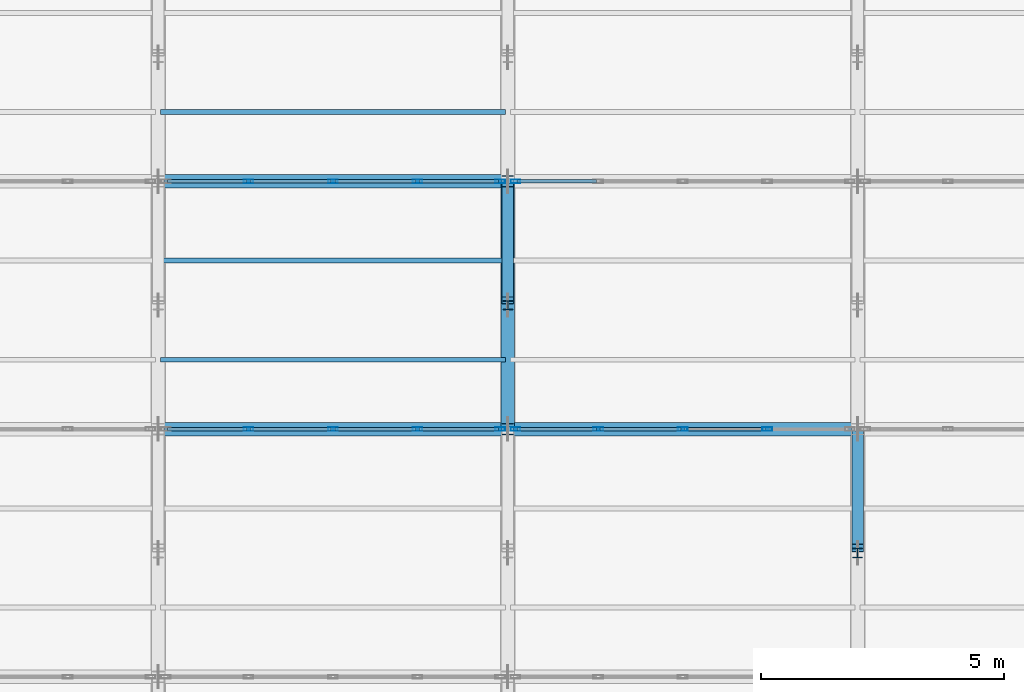
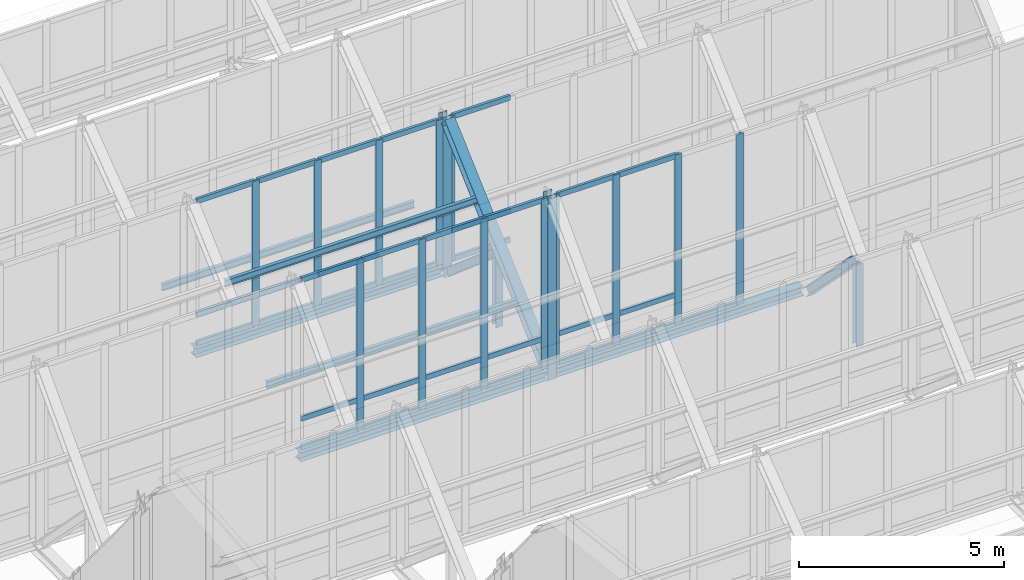
# One storey, part 63 of 157: 57 members, 3 beams, 4 elements without a shape of their own.
"""IFC4 building model written with IfcOpenShell, lengths in metres."""

from ifc_helpers import new_model, si_unit, direction, frame, origin, origin_2d, place, context, subcontext, project, spatial, hollow_rectangle, i_section, extrude, material, material_profile, profile_set, type_object, element, aggregate, save


model = new_model("IFC4")

# Units and contexts
model_context = context("Model", 3, precision=1e-05, world=origin(), true_north=direction((0.0, 1.0)))
body_context = subcontext(model_context, "Body", "Model", "MODEL_VIEW")
ifc_project = project(units=[si_unit("LENGTHUNIT", "METRE"), si_unit("AREAUNIT", "SQUARE_METRE"), si_unit("VOLUMEUNIT", "CUBIC_METRE"), si_unit("PLANEANGLEUNIT", "RADIAN"), si_unit("MASSUNIT", "GRAM", prefix="KILO")], contexts=[model_context])

# Site, building, storey
site_placement = place(None, origin())
site = spatial("IfcSite", under=ifc_project, at=site_placement, CompositionType="ELEMENT")
building_placement = place(site_placement, origin())
building = spatial("IfcBuilding", under=site, at=building_placement, Name="Suanplinth Sawtooth Commons", CompositionType="ELEMENT")
storey_placement = place(building_placement, frame((0.0, 0.0, 9.0)))
storey = spatial("IfcBuildingStorey", under=building, at=storey_placement, Name="L02", CompositionType="ELEMENT", Elevation=9.0)

# Beams
ifc_material_1 = material(Name="Steel S355JR", Category="steel")
ifc_material_profile_1 = material_profile(ifc_material_1, i_section(OverallWidth=0.280029296875, OverallDepth=0.27001953125, WebThickness=0.008056640625, FlangeThickness=0.012939453125, at=origin_2d()), Name="HEA 280")
ifc_profile_set_1 = profile_set([ifc_material_profile_1], Name="Steel S355JR")
beam_type = type_object("IfcBeamType", Name="B-16", PredefinedType="USERDEFINED", material=ifc_profile_set_1)
for number, where, z_axis, x_axis, name in (
    (1, (93.719970703125, 70.800048828125, 2.820068359375), (1.0, 0.0, 0.0), (0.0, 1.0, 0.0), "Sawtooth Valley Girder T5-B5"),
    (2, (100.919921875, 70.800048828125, 2.820068359375), (1.0, 0.0, 0.0), (0.0, 1.0, 0.0), "Sawtooth Valley Girder T5-B6"),
    (3, (93.719970703125, 75.89990234375, 2.820068359375), (1.0, 0.0, 0.0), (0.0, 1.0, 0.0), "Sawtooth Valley Girder T6-B5"),
):
    element("IfcBeam", number, at=place(storey_placement, frame(where, z_axis=z_axis, x_axis=x_axis)), inside=storey, type_object=beam_type, Name=name, ObjectType="GIRDER", PredefinedType="USERDEFINED", context=body_context, shape_type="SweptSolid", body=[
        extrude(i_section(OverallWidth=0.280029296875, OverallDepth=0.27001953125, WebThickness=0.008056640625, FlangeThickness=0.012939453125, at=origin_2d()), origin(), (0.0, 0.0, 1.0), 6.9599609375),
    ])

# Members
ifc_material_profile_2 = material_profile(ifc_material_1, i_section(OverallWidth=0.280029296875, OverallDepth=0.280029296875, WebThickness=0.010498046875, FlangeThickness=0.01806640625, at=origin_2d()), Name="HEB 280")
ifc_profile_set_2 = profile_set([ifc_material_profile_2], Name="Steel S355JR")
member_type_1 = type_object("IfcMemberType", Name="M-02", PredefinedType="CHORD", material=ifc_profile_set_2)
member_1_placement = place(storey_placement, frame((100.800048828125, 70.93994140625, 2.919921875), z_axis=(0.0, 0.740839311711, 0.671682301556), x_axis=(-1.0, 0.0, 0.0)))
element("IfcMember", 4, at=member_1_placement, inside=storey, type_object=member_type_1, Name="Sawtooth Truss T6 Top Chord 5", PredefinedType="CHORD", context=body_context, shape_type="SweptSolid", body=[
    extrude(i_section(OverallWidth=0.280029296875, OverallDepth=0.280029296875, WebThickness=0.010498046875, FlangeThickness=0.01806640625, at=origin_2d()), origin(), (0.0, 0.0, 1.0), 6.50634765625),
])
ifc_material_profile_3 = material_profile(ifc_material_1, i_section(OverallWidth=0.239990234375, OverallDepth=0.22998046875, WebThickness=0.007568359375, FlangeThickness=0.011962890625, at=origin_2d()), Name="HEA 240")
ifc_profile_set_3 = profile_set([ifc_material_profile_3], Name="Steel S355JR")
member_type_2 = type_object("IfcMemberType", Name="M-03", PredefinedType="BRACE", material=ifc_profile_set_3)
member_2_placement = place(storey_placement, frame((100.800048828125, 73.449951171875, 4.7451171875), z_axis=(0.0, 0.759593581641, -0.65039802485), x_axis=(-1.0, 0.0, 0.0)))
element("IfcMember", 5, at=member_2_placement, inside=storey, type_object=member_type_2, Name="Sawtooth Truss T6 Web Diagonal 5", PredefinedType="BRACE", context=body_context, shape_type="SweptSolid", body=[
    extrude(i_section(OverallWidth=0.239990234375, OverallDepth=0.22998046875, WebThickness=0.007568359375, FlangeThickness=0.011962890625, at=origin_2d()), origin(), (0.0, 0.0, 1.0), 3.067626953125),
])
member_3_placement = place(storey_placement, frame((108.0, 68.35009765625, 5.1201171875), z_axis=(0.0, 0.701020432133, -0.713141187797), x_axis=(-1.0, 0.0, 0.0)))
element("IfcMember", 6, at=member_3_placement, inside=storey, type_object=member_type_2, Name="Sawtooth Truss T7 Web Diagonal 4", PredefinedType="BRACE", context=body_context, shape_type="SweptSolid", body=[
    extrude(i_section(OverallWidth=0.239990234375, OverallDepth=0.22998046875, WebThickness=0.007568359375, FlangeThickness=0.011962890625, at=origin_2d()), origin(), (0.0, 0.0, 1.0), 3.323486328125),
])
ifc_material_profile_4 = material_profile(ifc_material_1, i_section(OverallWidth=0.199951171875, OverallDepth=0.18994140625, WebThickness=0.006591796875, FlangeThickness=0.010009765625, at=origin_2d()), Name="HEA 200")
ifc_profile_set_4 = profile_set([ifc_material_profile_4], Name="Steel S355JR")
member_type_3 = type_object("IfcMemberType", Name="M-04", PredefinedType="BRACE", material=ifc_profile_set_4)
member_4_placement = place(storey_placement, frame((100.800048828125, 73.35009765625, 2.64990234375), z_axis=(0.0, 0.0, 1.0), x_axis=(1.0, 0.0, 0.0)))
element("IfcMember", 7, at=member_4_placement, inside=storey, type_object=member_type_3, Name="Sawtooth Truss T6 Mid Web Post 5", PredefinedType="BRACE", context=body_context, shape_type="SweptSolid", body=[
    extrude(i_section(OverallWidth=0.199951171875, OverallDepth=0.18994140625, WebThickness=0.006591796875, FlangeThickness=0.010009765625, at=origin_2d()), origin(), (0.0, 0.0, 1.0), 2.0751953125),
])
member_5_placement = place(storey_placement, frame((108.0, 68.25, 2.64990234375), z_axis=(0.0, 0.0, 1.0), x_axis=(1.0, 0.0, 0.0)))
element("IfcMember", 8, at=member_5_placement, inside=storey, type_object=member_type_3, Name="Sawtooth Truss T7 Mid Web Post 4", PredefinedType="BRACE", context=body_context, shape_type="SweptSolid", body=[
    extrude(i_section(OverallWidth=0.199951171875, OverallDepth=0.18994140625, WebThickness=0.006591796875, FlangeThickness=0.010009765625, at=origin_2d()), origin(), (0.0, 0.0, 1.0), 2.4501953125),
])
ifc_material_profile_5 = material_profile(ifc_material_1, i_section(OverallWidth=0.239990234375, OverallDepth=0.239990234375, WebThickness=0.010009765625, FlangeThickness=0.01708984375, at=origin_2d()), Name="HEB 240")
ifc_profile_set_5 = profile_set([ifc_material_profile_5], Name="Steel S355JR")
member_type_4 = type_object("IfcMemberType", Name="M-05", PredefinedType="POST", material=ifc_profile_set_5)
member_6_placement = place(storey_placement, frame((100.800048828125, 70.800048828125, 2.64990234375), z_axis=(0.0, 0.0, 1.0), x_axis=(1.0, 0.0, 0.0)))
element("IfcMember", 9, at=member_6_placement, inside=storey, type_object=member_type_4, Name="Sawtooth Truss T6 Clerestory Post 4", PredefinedType="POST", context=body_context, shape_type="SweptSolid", body=[
    extrude(i_section(OverallWidth=0.239990234375, OverallDepth=0.239990234375, WebThickness=0.010009765625, FlangeThickness=0.01708984375, at=origin_2d()), origin(), (0.0, 0.0, 1.0), 5.489990234375),
])
member_7_placement = place(storey_placement, frame((100.800048828125, 75.89990234375, 2.64990234375), z_axis=(0.0, 0.0, 1.0), x_axis=(1.0, 0.0, 0.0)))
element("IfcMember", 10, at=member_7_placement, inside=storey, type_object=member_type_4, Name="Sawtooth Truss T6 Clerestory Post 5", PredefinedType="POST", context=body_context, shape_type="SweptSolid", body=[
    extrude(i_section(OverallWidth=0.239990234375, OverallDepth=0.239990234375, WebThickness=0.010009765625, FlangeThickness=0.01708984375, at=origin_2d()), origin(), (0.0, 0.0, 1.0), 4.739990234375),
])
ifc_material_2 = material(Name="Steel SS400", Category="steel")
ifc_material_profile_6 = material_profile(ifc_material_2, i_section(OverallWidth=0.10009765625, OverallDepth=0.199951171875, WebThickness=0.005615234375, FlangeThickness=0.008544921875, at=origin_2d()), Name="IPE 200")
ifc_profile_set_6 = profile_set([ifc_material_profile_6], Name="Steel SS400")
member_type_5 = type_object("IfcMemberType", Name="M-06", PredefinedType="PURLIN", material=ifc_profile_set_6)
for number, where, z_axis, x_axis, name in (
    (11, (93.64990234375, 72.22802734375, 4.067138671875), (1.0, 0.0, 0.0), (0.0, 1.0, 0.0), "Sawtooth Roof Purlin T5-B5-P1"),
    (12, (93.64990234375, 74.26806640625, 5.84716796875), (1.0, 0.0, 0.0), (0.0, 1.0, 0.0), "Sawtooth Roof Purlin T5-B5-P2"),
    (13, (93.64990234375, 77.327880859375, 3.87353515625), (1.0, 0.0, 0.0), (0.0, 1.0, 0.0), "Sawtooth Roof Purlin T6-B5-P1"),
):
    element("IfcMember", number, at=place(storey_placement, frame(where, z_axis=z_axis, x_axis=x_axis)), inside=storey, type_object=member_type_5, Name=name, PredefinedType="PURLIN", context=body_context, shape_type="SweptSolid", body=[
        extrude(i_section(OverallWidth=0.10009765625, OverallDepth=0.199951171875, WebThickness=0.005615234375, FlangeThickness=0.008544921875, at=origin_2d()), origin(), (0.0, 0.0, 1.0), 7.10009765625),
    ])

# Curtain wall, members
ifc_material_3 = material(Name="Anodized aluminium and low-E glazing", Category="aluminium")
curtain_wall_type = type_object("IfcCurtainWallType", Name="CW-03", PredefinedType="USERDEFINED", material=ifc_material_3)
curtain_wall_1_placement = place(storey_placement, origin())
curtain_wall_1 = element("IfcCurtainWall", 14, at=curtain_wall_1_placement, inside=storey, type_object=curtain_wall_type, Name="Curtain Wall CW-SAW-T4-B5", ObjectType="CURTAIN WALL", PredefinedType="USERDEFINED")
ifc_material_4 = material(Name="Anodized aluminium 6063-T6", Category="aluminium")
ifc_material_profile_7 = material_profile(ifc_material_4, hollow_rectangle(XDim=0.074951171875, YDim=0.199951171875, WallThickness=0.0048828125, at=origin_2d()), Name="ALU-MUL 75x200")
ifc_profile_set_7 = profile_set([ifc_material_profile_7], Name="Anodized aluminium 6063-T6")
member_type_6 = type_object("IfcMemberType", Name="M-14", PredefinedType="MULLION", material=ifc_profile_set_7)
member_8_placement = place(storey_placement, frame((95.4599609375, 70.800048828125, 2.97998046875), z_axis=(0.0, 0.0, 1.0), x_axis=(0.0, 1.0, 0.0)))
member_8 = element("IfcMember", 15, at=member_8_placement, type_object=member_type_6, Name="CW-03 mullion 2", PredefinedType="MULLION", context=body_context, shape_type="SweptSolid", body=[
    extrude(hollow_rectangle(XDim=0.074951171875, YDim=0.199951171875, WallThickness=0.0048828125, at=origin_2d()), origin(), (0.0, 0.0, 1.0), 5.06005859375),
])
member_9_placement = place(storey_placement, frame((97.199951171875, 70.800048828125, 2.97998046875), z_axis=(0.0, 0.0, 1.0), x_axis=(0.0, 1.0, 0.0)))
member_9 = element("IfcMember", 16, at=member_9_placement, type_object=member_type_6, Name="CW-03 mullion 3", PredefinedType="MULLION", context=body_context, shape_type="SweptSolid", body=[
    extrude(hollow_rectangle(XDim=0.074951171875, YDim=0.199951171875, WallThickness=0.0048828125, at=origin_2d()), origin(), (0.0, 0.0, 1.0), 5.06005859375),
])
member_10_placement = place(storey_placement, frame((98.93994140625, 70.800048828125, 2.97998046875), z_axis=(0.0, 0.0, 1.0), x_axis=(0.0, 1.0, 0.0)))
member_10 = element("IfcMember", 17, at=member_10_placement, type_object=member_type_6, Name="CW-03 mullion 4", PredefinedType="MULLION", context=body_context, shape_type="SweptSolid", body=[
    extrude(hollow_rectangle(XDim=0.074951171875, YDim=0.199951171875, WallThickness=0.0048828125, at=origin_2d()), origin(), (0.0, 0.0, 1.0), 5.06005859375),
])
member_11_placement = place(storey_placement, frame((100.642578125, 70.800048828125, 2.97998046875), z_axis=(0.0, 0.0, 1.0), x_axis=(0.0, 1.0, 0.0)))
member_11 = element("IfcMember", 18, at=member_11_placement, type_object=member_type_6, Name="CW-03 mullion 5", PredefinedType="MULLION", context=body_context, shape_type="SweptSolid", body=[
    extrude(hollow_rectangle(XDim=0.074951171875, YDim=0.199951171875, WallThickness=0.0048828125, at=origin_2d()), origin(), (0.0, 0.0, 1.0), 5.06005859375),
])

curtain_wall_2_placement = place(storey_placement, origin())
curtain_wall_2 = element("IfcCurtainWall", 19, at=curtain_wall_2_placement, inside=storey, type_object=curtain_wall_type, Name="Curtain Wall CW-SAW-T4-B6", ObjectType="CURTAIN WALL", PredefinedType="USERDEFINED")
member_12_placement = place(storey_placement, frame((100.95751953125, 70.800048828125, 2.97998046875), z_axis=(0.0, 0.0, 1.0), x_axis=(0.0, 1.0, 0.0)))
member_12 = element("IfcMember", 20, at=member_12_placement, type_object=member_type_6, Name="CW-03 mullion 1", PredefinedType="MULLION", context=body_context, shape_type="SweptSolid", body=[
    extrude(hollow_rectangle(XDim=0.074951171875, YDim=0.199951171875, WallThickness=0.0048828125, at=origin_2d()), origin(), (0.0, 0.0, 1.0), 5.06005859375),
])
member_13_placement = place(storey_placement, frame((102.659912109375, 70.800048828125, 2.97998046875), z_axis=(0.0, 0.0, 1.0), x_axis=(0.0, 1.0, 0.0)))
member_13 = element("IfcMember", 21, at=member_13_placement, type_object=member_type_6, Name="CW-03 mullion 2", PredefinedType="MULLION", context=body_context, shape_type="SweptSolid", body=[
    extrude(hollow_rectangle(XDim=0.074951171875, YDim=0.199951171875, WallThickness=0.0048828125, at=origin_2d()), origin(), (0.0, 0.0, 1.0), 5.06005859375),
])
member_14_placement = place(storey_placement, frame((104.39990234375, 70.800048828125, 2.97998046875), z_axis=(0.0, 0.0, 1.0), x_axis=(0.0, 1.0, 0.0)))
member_14 = element("IfcMember", 22, at=member_14_placement, type_object=member_type_6, Name="CW-03 mullion 3", PredefinedType="MULLION", context=body_context, shape_type="SweptSolid", body=[
    extrude(hollow_rectangle(XDim=0.074951171875, YDim=0.199951171875, WallThickness=0.0048828125, at=origin_2d()), origin(), (0.0, 0.0, 1.0), 5.06005859375),
])
member_15_placement = place(storey_placement, frame((106.139892578125, 70.800048828125, 2.97998046875), z_axis=(0.0, 0.0, 1.0), x_axis=(0.0, 1.0, 0.0)))
member_15 = element("IfcMember", 23, at=member_15_placement, type_object=member_type_6, Name="CW-03 mullion 4", PredefinedType="MULLION", context=body_context, shape_type="SweptSolid", body=[
    extrude(hollow_rectangle(XDim=0.074951171875, YDim=0.199951171875, WallThickness=0.0048828125, at=origin_2d()), origin(), (0.0, 0.0, 1.0), 5.06005859375),
])

curtain_wall_3_placement = place(storey_placement, origin())
curtain_wall_3 = element("IfcCurtainWall", 24, at=curtain_wall_3_placement, inside=storey, type_object=curtain_wall_type, Name="Curtain Wall CW-SAW-T5-B5", ObjectType="CURTAIN WALL", PredefinedType="USERDEFINED")
member_16_placement = place(storey_placement, frame((95.4599609375, 75.89990234375, 2.97998046875), z_axis=(0.0, 0.0, 1.0), x_axis=(0.0, 1.0, 0.0)))
member_16 = element("IfcMember", 25, at=member_16_placement, type_object=member_type_6, Name="CW-03 mullion 2", PredefinedType="MULLION", context=body_context, shape_type="SweptSolid", body=[
    extrude(hollow_rectangle(XDim=0.074951171875, YDim=0.199951171875, WallThickness=0.0048828125, at=origin_2d()), origin(), (0.0, 0.0, 1.0), 4.31005859375),
])
member_17_placement = place(storey_placement, frame((97.199951171875, 75.89990234375, 2.97998046875), z_axis=(0.0, 0.0, 1.0), x_axis=(0.0, 1.0, 0.0)))
member_17 = element("IfcMember", 26, at=member_17_placement, type_object=member_type_6, Name="CW-03 mullion 3", PredefinedType="MULLION", context=body_context, shape_type="SweptSolid", body=[
    extrude(hollow_rectangle(XDim=0.074951171875, YDim=0.199951171875, WallThickness=0.0048828125, at=origin_2d()), origin(), (0.0, 0.0, 1.0), 4.31005859375),
])
member_18_placement = place(storey_placement, frame((98.93994140625, 75.89990234375, 2.97998046875), z_axis=(0.0, 0.0, 1.0), x_axis=(0.0, 1.0, 0.0)))
member_18 = element("IfcMember", 27, at=member_18_placement, type_object=member_type_6, Name="CW-03 mullion 4", PredefinedType="MULLION", context=body_context, shape_type="SweptSolid", body=[
    extrude(hollow_rectangle(XDim=0.074951171875, YDim=0.199951171875, WallThickness=0.0048828125, at=origin_2d()), origin(), (0.0, 0.0, 1.0), 4.31005859375),
])
member_19_placement = place(storey_placement, frame((100.642578125, 75.89990234375, 2.97998046875), z_axis=(0.0, 0.0, 1.0), x_axis=(0.0, 1.0, 0.0)))
member_19 = element("IfcMember", 28, at=member_19_placement, type_object=member_type_6, Name="CW-03 mullion 5", PredefinedType="MULLION", context=body_context, shape_type="SweptSolid", body=[
    extrude(hollow_rectangle(XDim=0.074951171875, YDim=0.199951171875, WallThickness=0.0048828125, at=origin_2d()), origin(), (0.0, 0.0, 1.0), 4.31005859375),
])

# Curtain wall, member
curtain_wall_4_placement = place(storey_placement, origin())
curtain_wall_4 = element("IfcCurtainWall", 29, at=curtain_wall_4_placement, inside=storey, type_object=curtain_wall_type, Name="Curtain Wall CW-SAW-T5-B6", ObjectType="CURTAIN WALL", PredefinedType="USERDEFINED")
member_20_placement = place(storey_placement, frame((100.95751953125, 75.89990234375, 2.97998046875), z_axis=(0.0, 0.0, 1.0), x_axis=(0.0, 1.0, 0.0)))
member_20 = element("IfcMember", 30, at=member_20_placement, type_object=member_type_6, Name="CW-03 mullion 1", PredefinedType="MULLION", context=body_context, shape_type="SweptSolid", body=[
    extrude(hollow_rectangle(XDim=0.074951171875, YDim=0.199951171875, WallThickness=0.0048828125, at=origin_2d()), origin(), (0.0, 0.0, 1.0), 4.31005859375),
])

# Member
ifc_material_profile_8 = material_profile(ifc_material_4, hollow_rectangle(XDim=0.074951171875, YDim=0.14990234375, WallThickness=0.00439453125, at=origin_2d()), Name="ALU-TRN 75x150")
ifc_profile_set_8 = profile_set([ifc_material_profile_8], Name="Anodized aluminium 6063-T6")
member_type_7 = type_object("IfcMemberType", Name="M-16", PredefinedType="USERDEFINED", material=ifc_profile_set_8)
member_21_placement = place(storey_placement, frame((93.794921875, 70.800048828125, 3.017578125), z_axis=(1.0, 0.0, 0.0), x_axis=(0.0, 1.0, 0.0)))
member_21 = element("IfcMember", 31, at=member_21_placement, type_object=member_type_7, Name="CW-03 transom 1.1", ObjectType="TRANSOM", PredefinedType="USERDEFINED", context=body_context, shape_type="SweptSolid", body=[
    extrude(hollow_rectangle(XDim=0.074951171875, YDim=0.14990234375, WallThickness=0.00439453125, at=origin_2d()), origin(), (0.0, 0.0, 1.0), 1.627685546875),
])

member_22_placement = place(storey_placement, frame((93.794921875, 70.800048828125, 3.8798828125), z_axis=(1.0, 0.0, 0.0), x_axis=(0.0, 1.0, 0.0)))
member_22 = element("IfcMember", 32, at=member_22_placement, type_object=member_type_7, Name="CW-03 transom 1.2", ObjectType="TRANSOM", PredefinedType="USERDEFINED", context=body_context, shape_type="SweptSolid", body=[
    extrude(hollow_rectangle(XDim=0.074951171875, YDim=0.14990234375, WallThickness=0.00439453125, at=origin_2d()), origin(), (0.0, 0.0, 1.0), 1.627685546875),
])

member_23_placement = place(storey_placement, frame((93.794921875, 70.800048828125, 8.00244140625), z_axis=(1.0, 0.0, 0.0), x_axis=(0.0, 1.0, 0.0)))
member_23 = element("IfcMember", 33, at=member_23_placement, type_object=member_type_7, Name="CW-03 transom 1.3", ObjectType="TRANSOM", PredefinedType="USERDEFINED", context=body_context, shape_type="SweptSolid", body=[
    extrude(hollow_rectangle(XDim=0.074951171875, YDim=0.14990234375, WallThickness=0.00439453125, at=origin_2d()), origin(), (0.0, 0.0, 1.0), 1.627685546875),
])

member_24_placement = place(storey_placement, frame((95.49755859375, 70.800048828125, 3.017578125), z_axis=(1.0, 0.0, 0.0), x_axis=(0.0, 1.0, 0.0)))
member_24 = element("IfcMember", 34, at=member_24_placement, type_object=member_type_7, Name="CW-03 transom 2.1", ObjectType="TRANSOM", PredefinedType="USERDEFINED", context=body_context, shape_type="SweptSolid", body=[
    extrude(hollow_rectangle(XDim=0.074951171875, YDim=0.14990234375, WallThickness=0.00439453125, at=origin_2d()), origin(), (0.0, 0.0, 1.0), 1.6650390625),
])

member_25_placement = place(storey_placement, frame((95.49755859375, 70.800048828125, 3.8798828125), z_axis=(1.0, 0.0, 0.0), x_axis=(0.0, 1.0, 0.0)))
member_25 = element("IfcMember", 35, at=member_25_placement, type_object=member_type_7, Name="CW-03 transom 2.2", ObjectType="TRANSOM", PredefinedType="USERDEFINED", context=body_context, shape_type="SweptSolid", body=[
    extrude(hollow_rectangle(XDim=0.074951171875, YDim=0.14990234375, WallThickness=0.00439453125, at=origin_2d()), origin(), (0.0, 0.0, 1.0), 1.6650390625),
])

member_26_placement = place(storey_placement, frame((95.49755859375, 70.800048828125, 8.00244140625), z_axis=(1.0, 0.0, 0.0), x_axis=(0.0, 1.0, 0.0)))
member_26 = element("IfcMember", 36, at=member_26_placement, type_object=member_type_7, Name="CW-03 transom 2.3", ObjectType="TRANSOM", PredefinedType="USERDEFINED", context=body_context, shape_type="SweptSolid", body=[
    extrude(hollow_rectangle(XDim=0.074951171875, YDim=0.14990234375, WallThickness=0.00439453125, at=origin_2d()), origin(), (0.0, 0.0, 1.0), 1.6650390625),
])

member_27_placement = place(storey_placement, frame((97.237548828125, 70.800048828125, 3.017578125), z_axis=(1.0, 0.0, 0.0), x_axis=(0.0, 1.0, 0.0)))
member_27 = element("IfcMember", 37, at=member_27_placement, type_object=member_type_7, Name="CW-03 transom 3.1", ObjectType="TRANSOM", PredefinedType="USERDEFINED", context=body_context, shape_type="SweptSolid", body=[
    extrude(hollow_rectangle(XDim=0.074951171875, YDim=0.14990234375, WallThickness=0.00439453125, at=origin_2d()), origin(), (0.0, 0.0, 1.0), 1.6650390625),
])

member_28_placement = place(storey_placement, frame((97.237548828125, 70.800048828125, 3.8798828125), z_axis=(1.0, 0.0, 0.0), x_axis=(0.0, 1.0, 0.0)))
member_28 = element("IfcMember", 38, at=member_28_placement, type_object=member_type_7, Name="CW-03 transom 3.2", ObjectType="TRANSOM", PredefinedType="USERDEFINED", context=body_context, shape_type="SweptSolid", body=[
    extrude(hollow_rectangle(XDim=0.074951171875, YDim=0.14990234375, WallThickness=0.00439453125, at=origin_2d()), origin(), (0.0, 0.0, 1.0), 1.6650390625),
])

member_29_placement = place(storey_placement, frame((97.237548828125, 70.800048828125, 8.00244140625), z_axis=(1.0, 0.0, 0.0), x_axis=(0.0, 1.0, 0.0)))
member_29 = element("IfcMember", 39, at=member_29_placement, type_object=member_type_7, Name="CW-03 transom 3.3", ObjectType="TRANSOM", PredefinedType="USERDEFINED", context=body_context, shape_type="SweptSolid", body=[
    extrude(hollow_rectangle(XDim=0.074951171875, YDim=0.14990234375, WallThickness=0.00439453125, at=origin_2d()), origin(), (0.0, 0.0, 1.0), 1.6650390625),
])

member_30_placement = place(storey_placement, frame((98.9775390625, 70.800048828125, 3.017578125), z_axis=(1.0, 0.0, 0.0), x_axis=(0.0, 1.0, 0.0)))
member_30 = element("IfcMember", 40, at=member_30_placement, type_object=member_type_7, Name="CW-03 transom 4.1", ObjectType="TRANSOM", PredefinedType="USERDEFINED", context=body_context, shape_type="SweptSolid", body=[
    extrude(hollow_rectangle(XDim=0.074951171875, YDim=0.14990234375, WallThickness=0.00439453125, at=origin_2d()), origin(), (0.0, 0.0, 1.0), 1.62744140625),
])

member_31_placement = place(storey_placement, frame((98.9775390625, 70.800048828125, 3.8798828125), z_axis=(1.0, 0.0, 0.0), x_axis=(0.0, 1.0, 0.0)))
member_31 = element("IfcMember", 41, at=member_31_placement, type_object=member_type_7, Name="CW-03 transom 4.2", ObjectType="TRANSOM", PredefinedType="USERDEFINED", context=body_context, shape_type="SweptSolid", body=[
    extrude(hollow_rectangle(XDim=0.074951171875, YDim=0.14990234375, WallThickness=0.00439453125, at=origin_2d()), origin(), (0.0, 0.0, 1.0), 1.62744140625),
])

member_32_placement = place(storey_placement, frame((98.9775390625, 70.800048828125, 8.00244140625), z_axis=(1.0, 0.0, 0.0), x_axis=(0.0, 1.0, 0.0)))
member_32 = element("IfcMember", 42, at=member_32_placement, type_object=member_type_7, Name="CW-03 transom 4.3", ObjectType="TRANSOM", PredefinedType="USERDEFINED", context=body_context, shape_type="SweptSolid", body=[
    extrude(hollow_rectangle(XDim=0.074951171875, YDim=0.14990234375, WallThickness=0.00439453125, at=origin_2d()), origin(), (0.0, 0.0, 1.0), 1.62744140625),
])

aggregate(curtain_wall_1, [member_8, member_9, member_10, member_11, member_21, member_22, member_23, member_24, member_25, member_26, member_27, member_28, member_29, member_30, member_31, member_32])

member_33_placement = place(storey_placement, frame((100.9951171875, 70.800048828125, 3.017578125), z_axis=(1.0, 0.0, 0.0), x_axis=(0.0, 1.0, 0.0)))
member_33 = element("IfcMember", 43, at=member_33_placement, type_object=member_type_7, Name="CW-03 transom 1.1", ObjectType="TRANSOM", PredefinedType="USERDEFINED", context=body_context, shape_type="SweptSolid", body=[
    extrude(hollow_rectangle(XDim=0.074951171875, YDim=0.14990234375, WallThickness=0.00439453125, at=origin_2d()), origin(), (0.0, 0.0, 1.0), 1.62744140625),
])

member_34_placement = place(storey_placement, frame((100.9951171875, 70.800048828125, 3.8798828125), z_axis=(1.0, 0.0, 0.0), x_axis=(0.0, 1.0, 0.0)))
member_34 = element("IfcMember", 44, at=member_34_placement, type_object=member_type_7, Name="CW-03 transom 1.2", ObjectType="TRANSOM", PredefinedType="USERDEFINED", context=body_context, shape_type="SweptSolid", body=[
    extrude(hollow_rectangle(XDim=0.074951171875, YDim=0.14990234375, WallThickness=0.00439453125, at=origin_2d()), origin(), (0.0, 0.0, 1.0), 1.62744140625),
])

member_35_placement = place(storey_placement, frame((100.9951171875, 70.800048828125, 8.00244140625), z_axis=(1.0, 0.0, 0.0), x_axis=(0.0, 1.0, 0.0)))
member_35 = element("IfcMember", 45, at=member_35_placement, type_object=member_type_7, Name="CW-03 transom 1.3", ObjectType="TRANSOM", PredefinedType="USERDEFINED", context=body_context, shape_type="SweptSolid", body=[
    extrude(hollow_rectangle(XDim=0.074951171875, YDim=0.14990234375, WallThickness=0.00439453125, at=origin_2d()), origin(), (0.0, 0.0, 1.0), 1.62744140625),
])

member_36_placement = place(storey_placement, frame((102.697509765625, 70.800048828125, 3.017578125), z_axis=(1.0, 0.0, 0.0), x_axis=(0.0, 1.0, 0.0)))
member_36 = element("IfcMember", 46, at=member_36_placement, type_object=member_type_7, Name="CW-03 transom 2.1", ObjectType="TRANSOM", PredefinedType="USERDEFINED", context=body_context, shape_type="SweptSolid", body=[
    extrude(hollow_rectangle(XDim=0.074951171875, YDim=0.14990234375, WallThickness=0.00439453125, at=origin_2d()), origin(), (0.0, 0.0, 1.0), 1.6650390625),
])

member_37_placement = place(storey_placement, frame((102.697509765625, 70.800048828125, 3.8798828125), z_axis=(1.0, 0.0, 0.0), x_axis=(0.0, 1.0, 0.0)))
member_37 = element("IfcMember", 47, at=member_37_placement, type_object=member_type_7, Name="CW-03 transom 2.2", ObjectType="TRANSOM", PredefinedType="USERDEFINED", context=body_context, shape_type="SweptSolid", body=[
    extrude(hollow_rectangle(XDim=0.074951171875, YDim=0.14990234375, WallThickness=0.00439453125, at=origin_2d()), origin(), (0.0, 0.0, 1.0), 1.6650390625),
])

member_38_placement = place(storey_placement, frame((102.697509765625, 70.800048828125, 8.00244140625), z_axis=(1.0, 0.0, 0.0), x_axis=(0.0, 1.0, 0.0)))
member_38 = element("IfcMember", 48, at=member_38_placement, type_object=member_type_7, Name="CW-03 transom 2.3", ObjectType="TRANSOM", PredefinedType="USERDEFINED", context=body_context, shape_type="SweptSolid", body=[
    extrude(hollow_rectangle(XDim=0.074951171875, YDim=0.14990234375, WallThickness=0.00439453125, at=origin_2d()), origin(), (0.0, 0.0, 1.0), 1.6650390625),
])

member_39_placement = place(storey_placement, frame((104.4375, 70.800048828125, 3.017578125), z_axis=(1.0, 0.0, 0.0), x_axis=(0.0, 1.0, 0.0)))
member_39 = element("IfcMember", 49, at=member_39_placement, type_object=member_type_7, Name="CW-03 transom 3.1", ObjectType="TRANSOM", PredefinedType="USERDEFINED", context=body_context, shape_type="SweptSolid", body=[
    extrude(hollow_rectangle(XDim=0.074951171875, YDim=0.14990234375, WallThickness=0.00439453125, at=origin_2d()), origin(), (0.0, 0.0, 1.0), 1.6650390625),
])

aggregate(curtain_wall_2, [member_12, member_13, member_14, member_15, member_33, member_34, member_35, member_36, member_37, member_38, member_39])

member_40_placement = place(storey_placement, frame((93.794921875, 75.89990234375, 3.017578125), z_axis=(1.0, 0.0, 0.0), x_axis=(0.0, 1.0, 0.0)))
member_40 = element("IfcMember", 50, at=member_40_placement, type_object=member_type_7, Name="CW-03 transom 1.1", ObjectType="TRANSOM", PredefinedType="USERDEFINED", context=body_context, shape_type="SweptSolid", body=[
    extrude(hollow_rectangle(XDim=0.074951171875, YDim=0.14990234375, WallThickness=0.00439453125, at=origin_2d()), origin(), (0.0, 0.0, 1.0), 1.627685546875),
])

member_41_placement = place(storey_placement, frame((93.794921875, 75.89990234375, 3.8798828125), z_axis=(1.0, 0.0, 0.0), x_axis=(0.0, 1.0, 0.0)))
member_41 = element("IfcMember", 51, at=member_41_placement, type_object=member_type_7, Name="CW-03 transom 1.2", ObjectType="TRANSOM", PredefinedType="USERDEFINED", context=body_context, shape_type="SweptSolid", body=[
    extrude(hollow_rectangle(XDim=0.074951171875, YDim=0.14990234375, WallThickness=0.00439453125, at=origin_2d()), origin(), (0.0, 0.0, 1.0), 1.627685546875),
])

member_42_placement = place(storey_placement, frame((93.794921875, 75.89990234375, 7.25244140625), z_axis=(1.0, 0.0, 0.0), x_axis=(0.0, 1.0, 0.0)))
member_42 = element("IfcMember", 52, at=member_42_placement, type_object=member_type_7, Name="CW-03 transom 1.3", ObjectType="TRANSOM", PredefinedType="USERDEFINED", context=body_context, shape_type="SweptSolid", body=[
    extrude(hollow_rectangle(XDim=0.074951171875, YDim=0.14990234375, WallThickness=0.00439453125, at=origin_2d()), origin(), (0.0, 0.0, 1.0), 1.627685546875),
])

member_43_placement = place(storey_placement, frame((95.49755859375, 75.89990234375, 3.017578125), z_axis=(1.0, 0.0, 0.0), x_axis=(0.0, 1.0, 0.0)))
member_43 = element("IfcMember", 53, at=member_43_placement, type_object=member_type_7, Name="CW-03 transom 2.1", ObjectType="TRANSOM", PredefinedType="USERDEFINED", context=body_context, shape_type="SweptSolid", body=[
    extrude(hollow_rectangle(XDim=0.074951171875, YDim=0.14990234375, WallThickness=0.00439453125, at=origin_2d()), origin(), (0.0, 0.0, 1.0), 1.6650390625),
])

member_44_placement = place(storey_placement, frame((95.49755859375, 75.89990234375, 3.8798828125), z_axis=(1.0, 0.0, 0.0), x_axis=(0.0, 1.0, 0.0)))
member_44 = element("IfcMember", 54, at=member_44_placement, type_object=member_type_7, Name="CW-03 transom 2.2", ObjectType="TRANSOM", PredefinedType="USERDEFINED", context=body_context, shape_type="SweptSolid", body=[
    extrude(hollow_rectangle(XDim=0.074951171875, YDim=0.14990234375, WallThickness=0.00439453125, at=origin_2d()), origin(), (0.0, 0.0, 1.0), 1.6650390625),
])

member_45_placement = place(storey_placement, frame((95.49755859375, 75.89990234375, 7.25244140625), z_axis=(1.0, 0.0, 0.0), x_axis=(0.0, 1.0, 0.0)))
member_45 = element("IfcMember", 55, at=member_45_placement, type_object=member_type_7, Name="CW-03 transom 2.3", ObjectType="TRANSOM", PredefinedType="USERDEFINED", context=body_context, shape_type="SweptSolid", body=[
    extrude(hollow_rectangle(XDim=0.074951171875, YDim=0.14990234375, WallThickness=0.00439453125, at=origin_2d()), origin(), (0.0, 0.0, 1.0), 1.6650390625),
])

member_46_placement = place(storey_placement, frame((97.237548828125, 75.89990234375, 3.017578125), z_axis=(1.0, 0.0, 0.0), x_axis=(0.0, 1.0, 0.0)))
member_46 = element("IfcMember", 56, at=member_46_placement, type_object=member_type_7, Name="CW-03 transom 3.1", ObjectType="TRANSOM", PredefinedType="USERDEFINED", context=body_context, shape_type="SweptSolid", body=[
    extrude(hollow_rectangle(XDim=0.074951171875, YDim=0.14990234375, WallThickness=0.00439453125, at=origin_2d()), origin(), (0.0, 0.0, 1.0), 1.6650390625),
])

member_47_placement = place(storey_placement, frame((97.237548828125, 75.89990234375, 3.8798828125), z_axis=(1.0, 0.0, 0.0), x_axis=(0.0, 1.0, 0.0)))
member_47 = element("IfcMember", 57, at=member_47_placement, type_object=member_type_7, Name="CW-03 transom 3.2", ObjectType="TRANSOM", PredefinedType="USERDEFINED", context=body_context, shape_type="SweptSolid", body=[
    extrude(hollow_rectangle(XDim=0.074951171875, YDim=0.14990234375, WallThickness=0.00439453125, at=origin_2d()), origin(), (0.0, 0.0, 1.0), 1.6650390625),
])

member_48_placement = place(storey_placement, frame((97.237548828125, 75.89990234375, 7.25244140625), z_axis=(1.0, 0.0, 0.0), x_axis=(0.0, 1.0, 0.0)))
member_48 = element("IfcMember", 58, at=member_48_placement, type_object=member_type_7, Name="CW-03 transom 3.3", ObjectType="TRANSOM", PredefinedType="USERDEFINED", context=body_context, shape_type="SweptSolid", body=[
    extrude(hollow_rectangle(XDim=0.074951171875, YDim=0.14990234375, WallThickness=0.00439453125, at=origin_2d()), origin(), (0.0, 0.0, 1.0), 1.6650390625),
])

member_49_placement = place(storey_placement, frame((98.9775390625, 75.89990234375, 3.017578125), z_axis=(1.0, 0.0, 0.0), x_axis=(0.0, 1.0, 0.0)))
member_49 = element("IfcMember", 59, at=member_49_placement, type_object=member_type_7, Name="CW-03 transom 4.1", ObjectType="TRANSOM", PredefinedType="USERDEFINED", context=body_context, shape_type="SweptSolid", body=[
    extrude(hollow_rectangle(XDim=0.074951171875, YDim=0.14990234375, WallThickness=0.00439453125, at=origin_2d()), origin(), (0.0, 0.0, 1.0), 1.62744140625),
])

member_50_placement = place(storey_placement, frame((98.9775390625, 75.89990234375, 3.8798828125), z_axis=(1.0, 0.0, 0.0), x_axis=(0.0, 1.0, 0.0)))
member_50 = element("IfcMember", 60, at=member_50_placement, type_object=member_type_7, Name="CW-03 transom 4.2", ObjectType="TRANSOM", PredefinedType="USERDEFINED", context=body_context, shape_type="SweptSolid", body=[
    extrude(hollow_rectangle(XDim=0.074951171875, YDim=0.14990234375, WallThickness=0.00439453125, at=origin_2d()), origin(), (0.0, 0.0, 1.0), 1.62744140625),
])

member_51_placement = place(storey_placement, frame((98.9775390625, 75.89990234375, 7.25244140625), z_axis=(1.0, 0.0, 0.0), x_axis=(0.0, 1.0, 0.0)))
member_51 = element("IfcMember", 61, at=member_51_placement, type_object=member_type_7, Name="CW-03 transom 4.3", ObjectType="TRANSOM", PredefinedType="USERDEFINED", context=body_context, shape_type="SweptSolid", body=[
    extrude(hollow_rectangle(XDim=0.074951171875, YDim=0.14990234375, WallThickness=0.00439453125, at=origin_2d()), origin(), (0.0, 0.0, 1.0), 1.62744140625),
])

aggregate(curtain_wall_3, [member_16, member_17, member_18, member_19, member_40, member_41, member_42, member_43, member_44, member_45, member_46, member_47, member_48, member_49, member_50, member_51])

member_52_placement = place(storey_placement, frame((100.9951171875, 75.89990234375, 3.017578125), z_axis=(1.0, 0.0, 0.0), x_axis=(0.0, 1.0, 0.0)))
member_52 = element("IfcMember", 62, at=member_52_placement, type_object=member_type_7, Name="CW-03 transom 1.1", ObjectType="TRANSOM", PredefinedType="USERDEFINED", context=body_context, shape_type="SweptSolid", body=[
    extrude(hollow_rectangle(XDim=0.074951171875, YDim=0.14990234375, WallThickness=0.00439453125, at=origin_2d()), origin(), (0.0, 0.0, 1.0), 1.62744140625),
])

member_53_placement = place(storey_placement, frame((100.9951171875, 75.89990234375, 3.8798828125), z_axis=(1.0, 0.0, 0.0), x_axis=(0.0, 1.0, 0.0)))
member_53 = element("IfcMember", 63, at=member_53_placement, type_object=member_type_7, Name="CW-03 transom 1.2", ObjectType="TRANSOM", PredefinedType="USERDEFINED", context=body_context, shape_type="SweptSolid", body=[
    extrude(hollow_rectangle(XDim=0.074951171875, YDim=0.14990234375, WallThickness=0.00439453125, at=origin_2d()), origin(), (0.0, 0.0, 1.0), 1.62744140625),
])

member_54_placement = place(storey_placement, frame((100.9951171875, 75.89990234375, 7.25244140625), z_axis=(1.0, 0.0, 0.0), x_axis=(0.0, 1.0, 0.0)))
member_54 = element("IfcMember", 64, at=member_54_placement, type_object=member_type_7, Name="CW-03 transom 1.3", ObjectType="TRANSOM", PredefinedType="USERDEFINED", context=body_context, shape_type="SweptSolid", body=[
    extrude(hollow_rectangle(XDim=0.074951171875, YDim=0.14990234375, WallThickness=0.00439453125, at=origin_2d()), origin(), (0.0, 0.0, 1.0), 1.62744140625),
])

aggregate(curtain_wall_4, [member_20, member_52, member_53, member_54])

save(model, "model.ifc")
